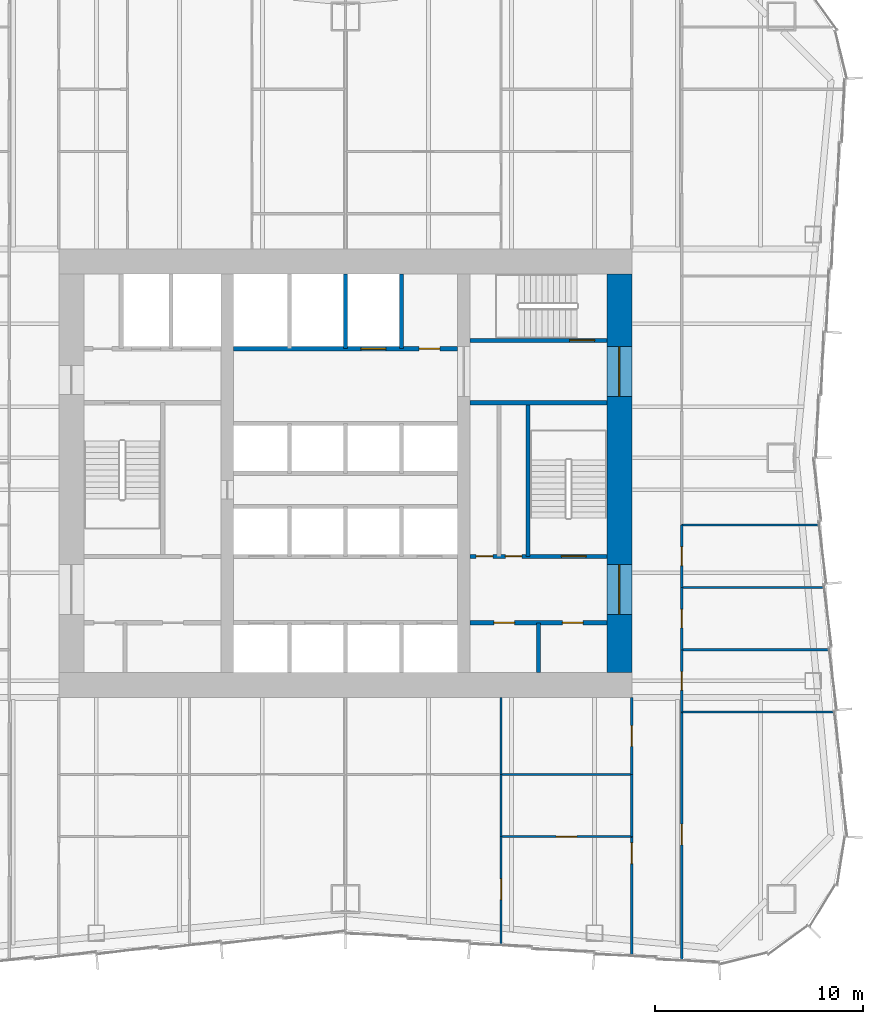
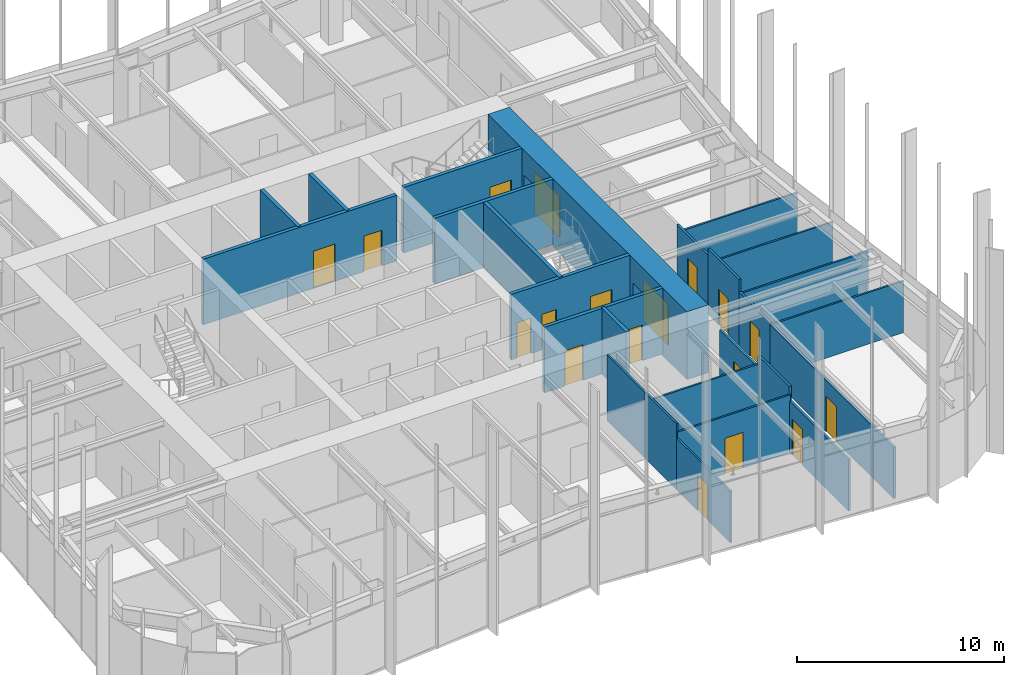
# One storey, part 10 of 13: 26 walls, 18 doors, 18 openings.
"""IFC4 building model written with IfcOpenShell, lengths in metres."""

import ifcopenshell
import ifcopenshell.guid

model = None  # the IFC model being written
_history = None  # IfcOwnerHistory: only IFC2X3 demands one
_inside = {}  # id of a spatial element -> (the spatial element, [elements in it])
_under = {}  # id of a project, library or spatial element -> (it, [spatial elements below it])
_declared = {}  # id of a project -> (the project, [libraries it declares])
_typed = {}  # id of a type object -> (the type object, [elements of that type])
_made_of = {}  # id of a material, layer set ... -> (it, [elements and type objects made of it])


def new_model(schema):
    """Start an empty IFC model of exactly this schema.

    Asked for "IFC4X3", IfcOpenShell would pick the latest addendum, in which some entities
    have other attributes; the version numbers below select the first issue.
    IFC2X3 requires an IfcOwnerHistory on every rooted entity: one is made here for all.
    """
    global model, _history
    if schema == "IFC4X3":
        model = ifcopenshell.file(schema_version=(4, 3, 0, 0))
    else:
        model = ifcopenshell.file(schema=schema)
    _inside.clear()
    _under.clear()
    _declared.clear()
    _typed.clear()
    _made_of.clear()
    _history = None
    if model.schema == "IFC2X3":
        org = make("IfcOrganization", Name="unknown")
        user = make(
            "IfcPersonAndOrganization",
            ThePerson=make("IfcPerson", FamilyName="unknown"),
            TheOrganization=org,
        )
        app = make(
            "IfcApplication",
            ApplicationDeveloper=org,
            Version="unknown",
            ApplicationFullName="unknown",
            ApplicationIdentifier="unknown",
        )
        _history = make(
            "IfcOwnerHistory",
            OwningUser=user,
            OwningApplication=app,
            ChangeAction="ADDED",
            CreationDate=0,
        )
    return model


def make(cls, **values):
    """One entity of the class cls with the attributes given. An attribute that is None is left unset."""
    return model.create_entity(
        cls, **{name: value for name, value in values.items() if value is not None}
    )


def rooted(cls, **values):
    """An entity with a GlobalId (a new one), such as an element, a storey or a relation."""
    return make(cls, GlobalId=ifcopenshell.guid.new(), OwnerHistory=_history, **values)


def si_unit(unit_type, name, prefix=None):
    """IfcSIUnit, for example si_unit("LENGTHUNIT", "METRE", prefix="MILLI")."""
    return make("IfcSIUnit", UnitType=unit_type, Prefix=prefix, Name=name)


def assignment(units):
    """IfcUnitAssignment: the units of a project."""
    return None if units is None else make("IfcUnitAssignment", Units=units)


def point(xyz):
    """IfcCartesianPoint."""
    return None if xyz is None else make("IfcCartesianPoint", Coordinates=xyz)


def direction(xyz):
    """IfcDirection."""
    return None if xyz is None else make("IfcDirection", DirectionRatios=xyz)


def frame(location, z_axis=None, x_axis=None):
    """IfcAxis2Placement3D, a coordinate frame: its origin and axes. An axis left out is left unset."""
    return make(
        "IfcAxis2Placement3D",
        Location=point(location),
        Axis=direction(z_axis),
        RefDirection=direction(x_axis),
    )


def frame_2d(location, x_axis=None):
    """IfcAxis2Placement2D, a coordinate frame in the plane: its origin and x axis."""
    return make(
        "IfcAxis2Placement2D", Location=point(location), RefDirection=direction(x_axis)
    )


def origin():
    """The frame at (0, 0, 0) with its axes left unset."""
    return frame((0.0, 0.0, 0.0))


def place(relative_to, where):
    """IfcLocalPlacement: puts the frame where relative to a parent placement (None: the world)."""
    return make(
        "IfcLocalPlacement", PlacementRelTo=relative_to, RelativePlacement=where
    )


def context(
    kind, dimensions, precision=None, world=None, true_north=None, identifier=None
):
    """IfcGeometricRepresentationContext, for example the 3D "Model" context."""
    return make(
        "IfcGeometricRepresentationContext",
        ContextIdentifier=identifier,
        ContextType=kind,
        CoordinateSpaceDimension=dimensions,
        Precision=precision,
        WorldCoordinateSystem=world,
        TrueNorth=true_north,
    )


def subcontext(parent, identifier, kind, view, scale=None):
    """IfcGeometricRepresentationSubContext, for example "Body" below "Model"."""
    return make(
        "IfcGeometricRepresentationSubContext",
        ContextIdentifier=identifier,
        ContextType=kind,
        ParentContext=parent,
        TargetScale=scale,
        TargetView=view,
    )


def project(units=None, contexts=None):
    """IfcProject with its units and contexts."""
    return rooted(
        "IfcProject",
        Name="project",
        RepresentationContexts=contexts,
        UnitsInContext=assignment(units),
    )


def spatial(cls, under=None, at=None, **own):
    """A site, building, storey or space (cls), placed at a placement, below another one or the project."""
    s = rooted(cls, ObjectPlacement=at, **own)
    if under is not None:
        _under.setdefault(under.id(), (under, []))[1].append(s)
    return s


def profile(cls, at=None, kind="AREA", **sizes):
    """A parametric profile (cls). Its sizes go by their IFC names, for example OverallWidth=200.0."""
    return make(cls, ProfileType=kind, Position=at, **sizes)


def rectangle(**sizes):
    """IfcRectangleProfileDef."""
    return profile("IfcRectangleProfileDef", **sizes)


def extrude(swept, where, along, depth):
    """IfcExtrudedAreaSolid: the profile swept, set in the frame where, extruded along a direction by depth."""
    return make(
        "IfcExtrudedAreaSolid",
        SweptArea=swept,
        Position=where,
        ExtrudedDirection=direction(along),
        Depth=depth,
    )


def shape(context_of_items, identifier, shape_type, items):
    """IfcShapeRepresentation: the items that make up one representation, for example the "Body"."""
    return make(
        "IfcShapeRepresentation",
        ContextOfItems=context_of_items,
        RepresentationIdentifier=identifier,
        RepresentationType=shape_type,
        Items=items,
    )


def material(Name=None, Category=None):
    """IfcMaterial."""
    return make("IfcMaterial", Name=Name, Category=Category)


def layer(
    of_material, thickness, ventilated=None, Name=None, Category=None, Priority=None
):
    """IfcMaterialLayer: one layer of a wall or slab, of a material (None: an air gap)."""
    return make(
        "IfcMaterialLayer",
        Material=of_material,
        LayerThickness=thickness,
        IsVentilated=ventilated,
        Name=Name,
        Category=Category,
        Priority=Priority,
    )


def layer_set(layers, Name=None):
    """IfcMaterialLayerSet."""
    return make("IfcMaterialLayerSet", MaterialLayers=layers, LayerSetName=Name)


def made_of(thing, what):
    """Note that an element or type object is made of a material, layer set ...; save() writes the relation."""
    if what is not None:
        _made_of.setdefault(what.id(), (what, []))[1].append(thing)
    return thing


def type_object(cls, material=None, **own):
    """A type object (cls), such as IfcWallType, which elements share."""
    return made_of(rooted(cls, **own), material)


def element(
    cls,
    number,
    at=None,
    inside=None,
    cuts=None,
    type_object=None,
    material=None,
    context=None,
    identifier="Body",
    shape_type=None,
    held_by="IfcProductDefinitionShape",
    body=None,
    shapes=None,
    **own,
):
    """One element of the class cls, such as IfcWall. Its Tag is "e" and its number.

    at: its placement. inside: the storey or other place that contains it. cuts: it is an
    opening in that element (IfcRelVoidsElement). A single representation is given by context,
    identifier, shape_type and body (its items); several are given by shapes. held_by: the class
    of the entity that holds the representations. save() writes the other relations.
    """
    e = rooted(cls, Tag="e%d" % number, ObjectPlacement=at, **own)
    if body is not None:
        shapes = [shape(context, identifier, shape_type, body)]
    if shapes is not None:
        e.Representation = make(held_by, Representations=shapes)
    if inside is not None:
        _inside.setdefault(inside.id(), (inside, []))[1].append(e)
    if cuts is not None:
        rooted(
            "IfcRelVoidsElement", RelatingBuildingElement=cuts, RelatedOpeningElement=e
        )
    if type_object is not None:
        _typed.setdefault(type_object.id(), (type_object, []))[1].append(e)
    return made_of(e, material)


def fill(opening, filler):
    """IfcRelFillsElement: the door or window that sits in an opening."""
    return rooted(
        "IfcRelFillsElement",
        RelatingOpeningElement=opening,
        RelatedBuildingElement=filler,
    )


def aggregate(whole, parts):
    """IfcRelAggregates: a whole, such as a stair, and the parts it consists of."""
    return rooted("IfcRelAggregates", RelatingObject=whole, RelatedObjects=parts)


def save(model, path):
    """Write the relations noted so far, then the file.

    IfcRelAggregates (storeys below a building ...), IfcRelContainedInSpatialStructure (elements
    in a storey), IfcRelDefinesByType, IfcRelAssociatesMaterial and IfcRelDeclares: one each for
    every whole, place, type object, material and project.
    """
    for whole, parts in _under.values():
        aggregate(whole, parts)
    for where, things in _inside.values():
        rooted(
            "IfcRelContainedInSpatialStructure",
            RelatedElements=things,
            RelatingStructure=where,
        )
    for kind, things in _typed.values():
        rooted("IfcRelDefinesByType", RelatedObjects=things, RelatingType=kind)
    for what, things in _made_of.values():
        rooted("IfcRelAssociatesMaterial", RelatedObjects=things, RelatingMaterial=what)
    for by, libraries in _declared.values():
        rooted("IfcRelDeclares", RelatingContext=by, RelatedDefinitions=libraries)
    model.write(path)


model = new_model("IFC4")

# Units and contexts
model_context = context("Model", 3, precision=1e-05, world=origin(), true_north=direction((0.0, 1.0)))
body_context = subcontext(model_context, "Body", "Model", "MODEL_VIEW")
ifc_project = project(units=[si_unit("LENGTHUNIT", "METRE"), si_unit("AREAUNIT", "SQUARE_METRE"), si_unit("VOLUMEUNIT", "CUBIC_METRE"), si_unit("PLANEANGLEUNIT", "RADIAN"), si_unit("MASSUNIT", "GRAM", prefix="KILO")], contexts=[model_context])

# Site, building, storey
site_placement = place(None, origin())
site = spatial("IfcSite", under=ifc_project, at=site_placement, CompositionType="ELEMENT")
building_placement = place(site_placement, origin())
building = spatial("IfcBuilding", under=site, at=building_placement, Name="Verdant Reach Tower", CompositionType="ELEMENT")
storey_placement = place(building_placement, frame((0.0, 0.0, 70.0)))
storey = spatial("IfcBuildingStorey", under=building, at=storey_placement, Name="L15", CompositionType="ELEMENT", Elevation=70.0)

# Wall, openings, doors
ifc_material_1 = material(Name="Gypsum board on steel studs", Category="steel")
ifc_layer_1 = layer(ifc_material_1, 0.199951171875)
ifc_layer_set_1 = layer_set([ifc_layer_1], Name="CO-WALL-ROOM")
wall_type_1 = type_object("IfcWallType", Name="CO-WALL-ROOM", PredefinedType="PARTITIONING", material=ifc_layer_set_1)
wall_1_placement = place(storey_placement, frame((6.0, 20.800048828125, 0.0), z_axis=(0.0, 0.0, 1.0), x_axis=(1.0, 0.0, 0.0)))
wall_1 = element("IfcWall", 1, at=wall_1_placement, inside=storey, type_object=wall_type_1, Name="Core partition, L15", PredefinedType="PARTITIONING", context=body_context, shape_type="SweptSolid", body=[
    extrude(rectangle(XDim=6.60009765625, YDim=0.199951171875, at=frame_2d((3.300048828125, 0.0))), origin(), (0.0, 0.0, 1.0), 3.8701171875),
])
opening_1_placement = place(wall_1_placement, frame((1.14990234375, 0.0, 0.0)))
opening_1 = element("IfcOpeningElement", 2, at=opening_1_placement, cuts=wall_1, Name="Opening CD", PredefinedType="OPENING", context=body_context, shape_type="SweptSolid", body=[
    extrude(rectangle(XDim=1.0, YDim=2.10009765625, at=frame_2d((0.5, 1.050048828125))), frame((0.0, 0.10986328125, 0.0), z_axis=(0.0, -1.0, 0.0), x_axis=(1.0, 0.0, 0.0)), (0.0, 0.0, 1.0), 0.219970703125),
])
opening_2_placement = place(wall_1_placement, frame((4.449951171875, 0.0, 0.0)))
opening_2 = element("IfcOpeningElement", 3, at=opening_2_placement, cuts=wall_1, Name="Opening CD", PredefinedType="OPENING", context=body_context, shape_type="SweptSolid", body=[
    extrude(rectangle(XDim=1.0, YDim=2.10009765625, at=frame_2d((0.5, 1.050048828125))), frame((0.0, 0.10986328125, 0.0), z_axis=(0.0, -1.0, 0.0), x_axis=(1.0, 0.0, 0.0)), (0.0, 0.0, 1.0), 0.219970703125),
])
ifc_material_2 = material(Name="Timber", Category="wood")
door_type_1 = type_object("IfcDoorType", Name="CO-DOOR-ROOM", OperationType="NOTDEFINED", PredefinedType="DOOR", material=ifc_material_2)
door_1_placement = place(opening_1_placement, origin())
door_1 = element("IfcDoor", 4, at=door_1_placement, inside=storey, type_object=door_type_1, Name="Core room door, L15", OperationType="SINGLE_SWING_LEFT", OverallHeight=2.10009765625, OverallWidth=1.0, PredefinedType="DOOR", context=body_context, shape_type="SweptSolid", body=[
    extrude(rectangle(XDim=1.0, YDim=2.10009765625, at=frame_2d((0.5, 1.050048828125))), frame((0.0, 0.02490234375, 0.0), z_axis=(0.0, -1.0, 0.0), x_axis=(1.0, 0.0, 0.0)), (0.0, 0.0, 1.0), 0.050048828125),
])
fill(opening_1, door_1)
door_2_placement = place(opening_2_placement, origin())
door_2 = element("IfcDoor", 5, at=door_2_placement, inside=storey, type_object=door_type_1, Name="Core room door, L15", OperationType="SINGLE_SWING_LEFT", OverallHeight=2.10009765625, OverallWidth=1.0, PredefinedType="DOOR", context=body_context, shape_type="SweptSolid", body=[
    extrude(rectangle(XDim=1.0, YDim=2.10009765625, at=frame_2d((0.5, 1.050048828125))), frame((0.0, 0.02490234375, 0.0), z_axis=(0.0, -1.0, 0.0), x_axis=(1.0, 0.0, 0.0)), (0.0, 0.0, 1.0), 0.050048828125),
])
fill(opening_2, door_2)

# Wall
wall_2_placement = place(storey_placement, frame((9.300048828125, 18.39990234375, 0.0), z_axis=(0.0, 0.0, 1.0), x_axis=(0.0, 1.0, 0.0)))
element("IfcWall", 6, at=wall_2_placement, inside=storey, type_object=wall_type_1, Name="Core partition, L15", PredefinedType="PARTITIONING", context=body_context, shape_type="SweptSolid", body=[
    extrude(rectangle(XDim=2.400146484375, YDim=0.199951171875, at=frame_2d((1.2001953125, 0.0))), origin(), (0.0, 0.0, 1.0), 3.8701171875),
])

# Wall, openings, doors
ifc_material_3 = material(Name="Concrete C40/50", Category="concrete")
ifc_layer_2 = layer(ifc_material_3, 0.199951171875)
ifc_layer_set_2 = layer_set([ifc_layer_2], Name="CO-WALL-SHAFT")
wall_type_2 = type_object("IfcWallType", Name="CO-WALL-SHAFT", PredefinedType="PARTITIONING", material=ifc_layer_set_2)
wall_3_placement = place(storey_placement, frame((-5.39990234375, 34.0, 0.0), z_axis=(0.0, 0.0, 1.0), x_axis=(1.0, 0.0, 0.0)))
wall_3 = element("IfcWall", 7, at=wall_3_placement, inside=storey, type_object=wall_type_2, Name="Lift shaft wall, L15", PredefinedType="PARTITIONING", context=body_context, shape_type="SweptSolid", body=[
    extrude(rectangle(XDim=10.7998046875, YDim=0.199951171875, at=frame_2d((5.39990234375, 0.0))), origin(), (0.0, 0.0, 1.0), 3.8701171875),
])
opening_3_placement = place(wall_3_placement, frame((6.14990234375, 0.0, 0.0)))
opening_3 = element("IfcOpeningElement", 8, at=opening_3_placement, cuts=wall_3, Name="Opening LD-SL1", PredefinedType="OPENING", context=body_context, shape_type="SweptSolid", body=[
    extrude(rectangle(XDim=1.199951171875, YDim=2.199951171875, at=frame_2d((0.60009765625, 1.10009765625))), frame((0.0, 0.10986328125, 0.0), z_axis=(0.0, -1.0, 0.0), x_axis=(1.0, 0.0, 0.0)), (0.0, 0.0, 1.0), 0.219970703125),
])
opening_4_placement = place(wall_3_placement, frame((8.949951171875, 0.0, 0.0)))
opening_4 = element("IfcOpeningElement", 9, at=opening_4_placement, cuts=wall_3, Name="Opening CD", PredefinedType="OPENING", context=body_context, shape_type="SweptSolid", body=[
    extrude(rectangle(XDim=1.0, YDim=2.10009765625, at=frame_2d((0.5, 1.050048828125))), frame((0.0, 0.10986328125, 0.0), z_axis=(0.0, -1.0, 0.0), x_axis=(1.0, 0.0, 0.0)), (0.0, 0.0, 1.0), 0.219970703125),
])
ifc_material_4 = material(Name="Stainless steel", Category="steel")
door_type_2 = type_object("IfcDoorType", Name="CO-DOOR-LANDING", OperationType="SLIDING_TO_LEFT", PredefinedType="DOOR", material=ifc_material_4)
door_3_placement = place(opening_3_placement, origin())
door_3 = element("IfcDoor", 10, at=door_3_placement, inside=storey, type_object=door_type_2, Name="Landing door SL1, L15", OperationType="SLIDING_TO_LEFT", OverallHeight=2.199951171875, OverallWidth=1.199951171875, PredefinedType="DOOR", context=body_context, shape_type="SweptSolid", body=[
    extrude(rectangle(XDim=1.199951171875, YDim=2.199951171875, at=frame_2d((0.60009765625, 1.10009765625))), frame((0.0, 0.02490234375, 0.0), z_axis=(0.0, -1.0, 0.0), x_axis=(1.0, 0.0, 0.0)), (0.0, 0.0, 1.0), 0.050048828125),
])
fill(opening_3, door_3)
door_4_placement = place(opening_4_placement, origin())
door_4 = element("IfcDoor", 11, at=door_4_placement, inside=storey, type_object=door_type_1, Name="Core room door, L15", OperationType="SINGLE_SWING_LEFT", OverallHeight=2.10009765625, OverallWidth=1.0, PredefinedType="DOOR", context=body_context, shape_type="SweptSolid", body=[
    extrude(rectangle(XDim=1.0, YDim=2.10009765625, at=frame_2d((0.5, 1.050048828125))), frame((0.0, 0.02490234375, 0.0), z_axis=(0.0, -1.0, 0.0), x_axis=(1.0, 0.0, 0.0)), (0.0, 0.0, 1.0), 0.050048828125),
])
fill(opening_4, door_4)

# Walls
for number, where, z_axis, x_axis, name in (
    (12, (0.0, 34.0, 0.0), (0.0, 0.0, 1.0), (0.0, 1.0, 0.0), "Lift shaft wall, L15"),
    (13, (2.699951171875, 34.0, 0.0), (0.0, 0.0, 1.0), (0.0, 1.0, 0.0), "Lift shaft wall, L15"),
):
    element("IfcWall", number, at=place(storey_placement, frame(where, z_axis=z_axis, x_axis=x_axis)), inside=storey, type_object=wall_type_2, Name=name, PredefinedType="PARTITIONING", context=body_context, shape_type="SweptSolid", body=[
        extrude(rectangle(XDim=3.60009765625, YDim=0.199951171875, at=frame_2d((1.800048828125, 0.0))), origin(), (0.0, 0.0, 1.0), 3.8701171875),
    ])

# Wall, openings, doors
ifc_layer_3 = layer(ifc_material_3, 0.199951171875)
ifc_layer_set_3 = layer_set([ifc_layer_3], Name="CO-WALL-STAIR")
wall_type_3 = type_object("IfcWallType", Name="CO-WALL-STAIR", PredefinedType="PARTITIONING", material=ifc_layer_set_3)
wall_4_placement = place(storey_placement, frame((6.0, 24.0, 0.0), z_axis=(0.0, 0.0, 1.0), x_axis=(1.0, 0.0, 0.0)))
wall_4 = element("IfcWall", 14, at=wall_4_placement, inside=storey, type_object=wall_type_3, Name="Stair enclosure wall, L15", PredefinedType="PARTITIONING", context=body_context, shape_type="SweptSolid", body=[
    extrude(rectangle(XDim=6.60009765625, YDim=0.199951171875, at=frame_2d((3.300048828125, 0.0))), origin(), (0.0, 0.0, 1.0), 3.8701171875),
])
opening_5_placement = place(wall_4_placement, frame((0.300048828125, 0.0, 0.0)))
opening_5 = element("IfcOpeningElement", 15, at=opening_5_placement, cuts=wall_4, Name="Opening CDN", PredefinedType="OPENING", context=body_context, shape_type="SweptSolid", body=[
    extrude(rectangle(XDim=0.800048828125, YDim=2.10009765625, at=frame_2d((0.39990234375, 1.050048828125))), frame((0.0, 0.10986328125, 0.0), z_axis=(0.0, -1.0, 0.0), x_axis=(1.0, 0.0, 0.0)), (0.0, 0.0, 1.0), 0.219970703125),
])
opening_6_placement = place(wall_4_placement, frame((1.699951171875, 0.0, 0.0)))
opening_6 = element("IfcOpeningElement", 16, at=opening_6_placement, cuts=wall_4, Name="Opening CDN", PredefinedType="OPENING", context=body_context, shape_type="SweptSolid", body=[
    extrude(rectangle(XDim=0.800048828125, YDim=2.10009765625, at=frame_2d((0.39990234375, 1.050048828125))), frame((0.0, 0.10986328125, 0.0), z_axis=(0.0, -1.0, 0.0), x_axis=(1.0, 0.0, 0.0)), (0.0, 0.0, 1.0), 0.219970703125),
])
opening_7_placement = place(wall_4_placement, frame((4.39990234375, 0.0, 0.0)))
opening_7 = element("IfcOpeningElement", 17, at=opening_7_placement, cuts=wall_4, Name="Opening SD", PredefinedType="OPENING", context=body_context, shape_type="SweptSolid", body=[
    extrude(rectangle(XDim=1.199951171875, YDim=2.199951171875, at=frame_2d((0.60009765625, 1.10009765625))), frame((0.0, 0.10986328125, 0.0), z_axis=(0.0, -1.0, 0.0), x_axis=(1.0, 0.0, 0.0)), (0.0, 0.0, 1.0), 0.219970703125),
])
door_type_3 = type_object("IfcDoorType", Name="CO-DOOR-ROOM-NARROW", OperationType="NOTDEFINED", PredefinedType="DOOR", material=ifc_material_2)
door_5_placement = place(opening_5_placement, origin())
door_5 = element("IfcDoor", 18, at=door_5_placement, inside=storey, type_object=door_type_3, Name="Core room door, L15", OperationType="SINGLE_SWING_RIGHT", OverallHeight=2.10009765625, OverallWidth=0.800048828125, PredefinedType="DOOR", context=body_context, shape_type="SweptSolid", body=[
    extrude(rectangle(XDim=0.800048828125, YDim=2.10009765625, at=frame_2d((0.39990234375, 1.050048828125))), frame((0.0, 0.02490234375, 0.0), z_axis=(0.0, -1.0, 0.0), x_axis=(1.0, 0.0, 0.0)), (0.0, 0.0, 1.0), 0.050048828125),
])
fill(opening_5, door_5)
door_6_placement = place(opening_6_placement, origin())
door_6 = element("IfcDoor", 19, at=door_6_placement, inside=storey, type_object=door_type_3, Name="Core room door, L15", OperationType="SINGLE_SWING_LEFT", OverallHeight=2.10009765625, OverallWidth=0.800048828125, PredefinedType="DOOR", context=body_context, shape_type="SweptSolid", body=[
    extrude(rectangle(XDim=0.800048828125, YDim=2.10009765625, at=frame_2d((0.39990234375, 1.050048828125))), frame((0.0, 0.02490234375, 0.0), z_axis=(0.0, -1.0, 0.0), x_axis=(1.0, 0.0, 0.0)), (0.0, 0.0, 1.0), 0.050048828125),
])
fill(opening_6, door_6)
ifc_material_5 = material(Name="Steel", Category="steel")
door_type_4 = type_object("IfcDoorType", Name="CO-DOOR-STAIR", OperationType="NOTDEFINED", PredefinedType="DOOR", material=ifc_material_5)
door_7_placement = place(opening_7_placement, origin())
door_7 = element("IfcDoor", 20, at=door_7_placement, inside=storey, type_object=door_type_4, Name="Stair door, L15", OperationType="SINGLE_SWING_RIGHT", OverallHeight=2.199951171875, OverallWidth=1.199951171875, PredefinedType="DOOR", context=body_context, shape_type="SweptSolid", body=[
    extrude(rectangle(XDim=1.199951171875, YDim=2.199951171875, at=frame_2d((0.60009765625, 1.10009765625))), frame((0.0, 0.02490234375, 0.0), z_axis=(0.0, -1.0, 0.0), x_axis=(1.0, 0.0, 0.0)), (0.0, 0.0, 1.0), 0.050048828125),
])
fill(opening_7, door_7)

# Wall
wall_5_placement = place(storey_placement, frame((6.0, 31.39990234375, 0.0), z_axis=(0.0, 0.0, 1.0), x_axis=(1.0, 0.0, 0.0)))
element("IfcWall", 21, at=wall_5_placement, inside=storey, type_object=wall_type_3, Name="Stair enclosure wall, L15", PredefinedType="PARTITIONING", context=body_context, shape_type="SweptSolid", body=[
    extrude(rectangle(XDim=6.60009765625, YDim=0.199951171875, at=frame_2d((3.300048828125, 0.0))), origin(), (0.0, 0.0, 1.0), 3.8701171875),
])

# Wall, opening, door
wall_6_placement = place(storey_placement, frame((6.0, 34.39990234375, 0.0), z_axis=(0.0, 0.0, 1.0), x_axis=(1.0, 0.0, 0.0)))
wall_6 = element("IfcWall", 22, at=wall_6_placement, inside=storey, type_object=wall_type_3, Name="Stair enclosure wall, L15", PredefinedType="PARTITIONING", context=body_context, shape_type="SweptSolid", body=[
    extrude(rectangle(XDim=6.60009765625, YDim=0.199951171875, at=frame_2d((3.300048828125, 0.0))), origin(), (0.0, 0.0, 1.0), 3.8701171875),
])
opening_8_placement = place(wall_6_placement, frame((4.800048828125, 0.0, 0.0)))
opening_8 = element("IfcOpeningElement", 23, at=opening_8_placement, cuts=wall_6, Name="Opening SD", PredefinedType="OPENING", context=body_context, shape_type="SweptSolid", body=[
    extrude(rectangle(XDim=1.199951171875, YDim=2.199951171875, at=frame_2d((0.60009765625, 1.10009765625))), frame((0.0, 0.10986328125, 0.0), z_axis=(0.0, -1.0, 0.0), x_axis=(1.0, 0.0, 0.0)), (0.0, 0.0, 1.0), 0.219970703125),
])
door_8_placement = place(opening_8_placement, origin())
door_8 = element("IfcDoor", 24, at=door_8_placement, inside=storey, type_object=door_type_4, Name="Stair door, L15", OperationType="SINGLE_SWING_LEFT", OverallHeight=2.199951171875, OverallWidth=1.199951171875, PredefinedType="DOOR", context=body_context, shape_type="SweptSolid", body=[
    extrude(rectangle(XDim=1.199951171875, YDim=2.199951171875, at=frame_2d((0.60009765625, 1.10009765625))), frame((0.0, 0.02490234375, 0.0), z_axis=(0.0, -1.0, 0.0), x_axis=(1.0, 0.0, 0.0)), (0.0, 0.0, 1.0), 0.050048828125),
])
fill(opening_8, door_8)

# Walls
wall_7_placement = place(storey_placement, frame((8.800048828125, 24.0, 0.0), z_axis=(0.0, 0.0, 1.0), x_axis=(0.0, 1.0, 0.0)))
element("IfcWall", 25, at=wall_7_placement, inside=storey, type_object=wall_type_3, Name="Stair enclosure wall, L15", PredefinedType="PARTITIONING", context=body_context, shape_type="SweptSolid", body=[
    extrude(rectangle(XDim=7.39990234375, YDim=0.199951171875, at=frame_2d((3.699951171875, 0.0))), origin(), (0.0, 0.0, 1.0), 3.8701171875),
])
ifc_layer_4 = layer(ifc_material_1, 0.10009765625)
ifc_layer_set_4 = layer_set([ifc_layer_4], Name="FL-W1 Partition 100")
wall_type_4 = type_object("IfcWallType", Name="FL-W1 Partition 100", PredefinedType="PARTITIONING", material=ifc_layer_set_4)
wall_8_placement = place(storey_placement, frame((23.5869140625, 16.5, 0.0), z_axis=(0.0, 0.0, 1.0), x_axis=(-1.0, 0.0, 0.0)))
element("IfcWall", 26, at=wall_8_placement, inside=storey, type_object=wall_type_4, Name="Partition 15.36", PredefinedType="PARTITIONING", context=body_context, shape_type="SweptSolid", body=[
    extrude(rectangle(XDim=7.386962890625, YDim=0.10009765625, at=frame_2d((3.693359375, 0.0))), origin(), (0.0, 0.0, 1.0), 3.0400390625),
])
wall_9_placement = place(storey_placement, frame((23.34033203125, 19.5, 0.0), z_axis=(0.0, 0.0, 1.0), x_axis=(-1.0, 0.0, 0.0)))
element("IfcWall", 27, at=wall_9_placement, inside=storey, type_object=wall_type_4, Name="Partition 15.37", PredefinedType="PARTITIONING", context=body_context, shape_type="SweptSolid", body=[
    extrude(rectangle(XDim=7.140380859375, YDim=0.10009765625, at=frame_2d((3.5703125, 0.0))), origin(), (0.0, 0.0, 1.0), 3.0400390625),
])
wall_10_placement = place(storey_placement, frame((23.09375, 22.5, 0.0), z_axis=(0.0, 0.0, 1.0), x_axis=(-1.0, 0.0, 0.0)))
element("IfcWall", 28, at=wall_10_placement, inside=storey, type_object=wall_type_4, Name="Partition 15.38", PredefinedType="PARTITIONING", context=body_context, shape_type="SweptSolid", body=[
    extrude(rectangle(XDim=6.893798828125, YDim=0.10009765625, at=frame_2d((3.44677734375, 0.0))), origin(), (0.0, 0.0, 1.0), 3.0400390625),
])
wall_11_placement = place(storey_placement, frame((22.84716796875, 25.5, 0.0), z_axis=(0.0, 0.0, 1.0), x_axis=(-1.0, 0.0, 0.0)))
element("IfcWall", 29, at=wall_11_placement, inside=storey, type_object=wall_type_4, Name="Partition 15.39", PredefinedType="PARTITIONING", context=body_context, shape_type="SweptSolid", body=[
    extrude(rectangle(XDim=6.647216796875, YDim=0.10009765625, at=frame_2d((3.32373046875, 0.0))), origin(), (0.0, 0.0, 1.0), 3.0400390625),
])

# Wall, opening, door
wall_12_placement = place(storey_placement, frame((7.5, 10.5, 0.0), z_axis=(0.0, 0.0, 1.0), x_axis=(1.0, 0.0, 0.0)))
wall_12 = element("IfcWall", 30, at=wall_12_placement, inside=storey, type_object=wall_type_4, Name="Partition 15.51", PredefinedType="PARTITIONING", context=body_context, shape_type="SweptSolid", body=[
    extrude(rectangle(XDim=6.300048828125, YDim=0.10009765625, at=frame_2d((3.14990234375, 0.0))), origin(), (0.0, 0.0, 1.0), 3.389892578125),
])
opening_9_placement = place(wall_12_placement, frame((2.64990234375, 0.0, 0.0)))
opening_9 = element("IfcOpeningElement", 31, at=opening_9_placement, cuts=wall_12, Name="Opening D3", PredefinedType="OPENING", context=body_context, shape_type="SweptSolid", body=[
    extrude(rectangle(XDim=1.0, YDim=2.10009765625, at=frame_2d((0.5, 1.050048828125))), frame((0.0, 0.06005859375, 0.0), z_axis=(0.0, -1.0, 0.0), x_axis=(1.0, 0.0, 0.0)), (0.0, 0.0, 1.0), 0.1201171875),
])
ifc_material_6 = material(Name="Painted timber door leaf", Category="wood")
door_type_5 = type_object("IfcDoorType", Name="FL-D3 Door 1000x2100", OperationType="NOTDEFINED", PredefinedType="DOOR", material=ifc_material_6)
door_9_placement = place(opening_9_placement, origin())
door_9 = element("IfcDoor", 32, at=door_9_placement, inside=storey, type_object=door_type_5, Name="Door 15-027", OperationType="SINGLE_SWING_LEFT", OverallHeight=2.10009765625, OverallWidth=1.0, PredefinedType="DOOR", context=body_context, shape_type="SweptSolid", body=[
    extrude(rectangle(XDim=1.0, YDim=2.10009765625, at=frame_2d((0.5, 1.050048828125))), frame((0.0, 0.02490234375, 0.0), z_axis=(0.0, -1.0, 0.0), x_axis=(1.0, 0.0, 0.0)), (0.0, 0.0, 1.0), 0.050048828125),
])
fill(opening_9, door_9)

wall_13_placement = place(storey_placement, frame((7.5, 5.294921875, 0.0), z_axis=(0.0, 0.0, 1.0), x_axis=(0.0, 1.0, 0.0)))
wall_13 = element("IfcWall", 33, at=wall_13_placement, inside=storey, type_object=wall_type_4, Name="Partition 15.52", PredefinedType="PARTITIONING", context=body_context, shape_type="SweptSolid", body=[
    extrude(rectangle(XDim=5.208984375, YDim=0.10009765625, at=frame_2d((2.6044921875, 0.0))), origin(), (0.0, 0.0, 1.0), 3.0400390625),
])
opening_10_placement = place(wall_13_placement, frame((2.169677734375, 0.0, 0.0)))
opening_10 = element("IfcOpeningElement", 34, at=opening_10_placement, cuts=wall_13, Name="Opening D3", PredefinedType="OPENING", context=body_context, shape_type="SweptSolid", body=[
    extrude(rectangle(XDim=1.0, YDim=2.10009765625, at=frame_2d((0.5, 1.050048828125))), frame((0.0, 0.06005859375, 0.0), z_axis=(0.0, -1.0, 0.0), x_axis=(1.0, 0.0, 0.0)), (0.0, 0.0, 1.0), 0.1201171875),
])
door_10_placement = place(opening_10_placement, origin())
door_10 = element("IfcDoor", 35, at=door_10_placement, inside=storey, type_object=door_type_5, Name="Door 15-028", OperationType="SINGLE_SWING_RIGHT", OverallHeight=2.10009765625, OverallWidth=1.0, PredefinedType="DOOR", context=body_context, shape_type="SweptSolid", body=[
    extrude(rectangle(XDim=1.0, YDim=2.10009765625, at=frame_2d((0.5, 1.050048828125))), frame((0.0, 0.02490234375, 0.0), z_axis=(0.0, -1.0, 0.0), x_axis=(1.0, 0.0, 0.0)), (0.0, 0.0, 1.0), 0.050048828125),
])
fill(opening_10, door_10)

# Walls
wall_14_placement = place(storey_placement, frame((13.800048828125, 13.5, 0.0), z_axis=(0.0, 0.0, 1.0), x_axis=(-1.0, 0.0, 0.0)))
element("IfcWall", 36, at=wall_14_placement, inside=storey, type_object=wall_type_4, Name="Partition 15.53", PredefinedType="PARTITIONING", context=body_context, shape_type="SweptSolid", body=[
    extrude(rectangle(XDim=6.300048828125, YDim=0.10009765625, at=frame_2d((3.14990234375, 0.0))), origin(), (0.0, 0.0, 1.0), 3.389892578125),
])
wall_15_placement = place(storey_placement, frame((7.5, 13.5, 0.0), z_axis=(0.0, 0.0, 1.0), x_axis=(0.0, -1.0, 0.0)))
element("IfcWall", 37, at=wall_15_placement, inside=storey, type_object=wall_type_4, Name="Partition 15.54", PredefinedType="PARTITIONING", context=body_context, shape_type="SweptSolid", body=[
    extrude(rectangle(XDim=3.00390625, YDim=0.10009765625, at=frame_2d((1.501953125, 0.0))), origin(), (0.0, 0.0, 1.0), 3.8701171875),
])
wall_16_placement = place(storey_placement, frame((7.5, 17.199951171875, 0.0), z_axis=(0.0, 0.0, 1.0), x_axis=(0.0, -1.0, 0.0)))
element("IfcWall", 38, at=wall_16_placement, inside=storey, type_object=wall_type_4, Name="Partition 15.55", PredefinedType="PARTITIONING", context=body_context, shape_type="SweptSolid", body=[
    extrude(rectangle(XDim=3.699951171875, YDim=0.10009765625, at=frame_2d((1.85009765625, 0.0))), origin(), (0.0, 0.0, 1.0), 3.8701171875),
])

# Wall, opening, door
ifc_material_7 = material(Name="Gypsum board on steel studs, fire rated", Category="steel")
ifc_layer_5 = layer(ifc_material_7, 0.125)
ifc_layer_set_5 = layer_set([ifc_layer_5], Name="FL-W2 Corridor wall 125")
wall_type_5 = type_object("IfcWallType", Name="FL-W2 Corridor wall 125", PredefinedType="PARTITIONING", material=ifc_layer_set_5)
wall_17_placement = place(storey_placement, frame((16.199951171875, 16.5, 0.0), z_axis=(0.0, 0.0, 1.0), x_axis=(0.0, -1.0, 0.0)))
wall_17 = element("IfcWall", 39, at=wall_17_placement, inside=storey, type_object=wall_type_5, Name="Partition 15.15", PredefinedType="PARTITIONING", context=body_context, shape_type="SweptSolid", body=[
    extrude(rectangle(XDim=11.929931640625, YDim=0.125, at=frame_2d((5.96484375, 0.0))), origin(), (0.0, 0.0, 1.0), 3.0400390625),
])
opening_11_placement = place(wall_17_placement, frame((5.39990234375, 0.0, 0.0)))
opening_11 = element("IfcOpeningElement", 40, at=opening_11_placement, cuts=wall_17, Name="Opening D2", PredefinedType="OPENING", context=body_context, shape_type="SweptSolid", body=[
    extrude(rectangle(XDim=1.0, YDim=2.10009765625, at=frame_2d((0.5, 1.050048828125))), frame((0.0, 0.072509765625, 0.0), z_axis=(0.0, -1.0, 0.0), x_axis=(1.0, 0.0, 0.0)), (0.0, 0.0, 1.0), 0.14501953125),
])
ifc_material_8 = material(Name="Timber door leaf, fire rated", Category="wood")
door_type_6 = type_object("IfcDoorType", Name="FL-D2 Entrance door 1000x2100 FD30", OperationType="NOTDEFINED", PredefinedType="DOOR", material=ifc_material_8)
door_11_placement = place(opening_11_placement, origin())
door_11 = element("IfcDoor", 41, at=door_11_placement, inside=storey, type_object=door_type_6, Name="Door 15-011", OperationType="SINGLE_SWING_LEFT", OverallHeight=2.10009765625, OverallWidth=1.0, PredefinedType="DOOR", context=body_context, shape_type="SweptSolid", body=[
    extrude(rectangle(XDim=1.0, YDim=2.10009765625, at=frame_2d((0.5, 1.050048828125))), frame((0.0, 0.02490234375, 0.0), z_axis=(0.0, -1.0, 0.0), x_axis=(1.0, 0.0, 0.0)), (0.0, 0.0, 1.0), 0.050048828125),
])
fill(opening_11, door_11)

wall_18_placement = place(storey_placement, frame((16.199951171875, 19.5, 0.0), z_axis=(0.0, 0.0, 1.0), x_axis=(0.0, -1.0, 0.0)))
wall_18 = element("IfcWall", 42, at=wall_18_placement, inside=storey, type_object=wall_type_5, Name="Partition 15.16", PredefinedType="PARTITIONING", context=body_context, shape_type="SweptSolid", body=[
    extrude(rectangle(XDim=3.0, YDim=0.125, at=frame_2d((1.5, 0.0))), origin(), (0.0, 0.0, 1.0), 3.139892578125),
])
opening_12_placement = place(wall_18_placement, frame((1.050048828125, 0.0, 0.0)))
opening_12 = element("IfcOpeningElement", 43, at=opening_12_placement, cuts=wall_18, Name="Opening D1", PredefinedType="OPENING", context=body_context, shape_type="SweptSolid", body=[
    extrude(rectangle(XDim=0.89990234375, YDim=2.10009765625, at=frame_2d((0.449951171875, 1.050048828125))), frame((0.0, 0.072509765625, 0.0), z_axis=(0.0, -1.0, 0.0), x_axis=(1.0, 0.0, 0.0)), (0.0, 0.0, 1.0), 0.14501953125),
])
door_type_7 = type_object("IfcDoorType", Name="FL-D1 Door 900x2100", OperationType="NOTDEFINED", PredefinedType="DOOR", material=ifc_material_6)
door_12_placement = place(opening_12_placement, origin())
door_12 = element("IfcDoor", 44, at=door_12_placement, inside=storey, type_object=door_type_7, Name="Door 15-012", OperationType="SINGLE_SWING_RIGHT", OverallHeight=2.10009765625, OverallWidth=0.89990234375, PredefinedType="DOOR", context=body_context, shape_type="SweptSolid", body=[
    extrude(rectangle(XDim=0.89990234375, YDim=2.10009765625, at=frame_2d((0.449951171875, 1.050048828125))), frame((0.0, 0.02490234375, 0.0), z_axis=(0.0, -1.0, 0.0), x_axis=(1.0, 0.0, 0.0)), (0.0, 0.0, 1.0), 0.050048828125),
])
fill(opening_12, door_12)

wall_19_placement = place(storey_placement, frame((16.199951171875, 22.5, 0.0), z_axis=(0.0, 0.0, 1.0), x_axis=(0.0, -1.0, 0.0)))
wall_19 = element("IfcWall", 45, at=wall_19_placement, inside=storey, type_object=wall_type_5, Name="Partition 15.17", PredefinedType="PARTITIONING", context=body_context, shape_type="SweptSolid", body=[
    extrude(rectangle(XDim=3.0, YDim=0.125, at=frame_2d((1.5, 0.0))), origin(), (0.0, 0.0, 1.0), 3.8701171875),
])
opening_13_placement = place(wall_19_placement, frame((1.050048828125, 0.0, 0.0)))
opening_13 = element("IfcOpeningElement", 46, at=opening_13_placement, cuts=wall_19, Name="Opening D1", PredefinedType="OPENING", context=body_context, shape_type="SweptSolid", body=[
    extrude(rectangle(XDim=0.89990234375, YDim=2.10009765625, at=frame_2d((0.449951171875, 1.050048828125))), frame((0.0, 0.072509765625, 0.0), z_axis=(0.0, -1.0, 0.0), x_axis=(1.0, 0.0, 0.0)), (0.0, 0.0, 1.0), 0.14501953125),
])
door_13_placement = place(opening_13_placement, origin())
door_13 = element("IfcDoor", 47, at=door_13_placement, inside=storey, type_object=door_type_7, Name="Door 15-013", OperationType="SINGLE_SWING_LEFT", OverallHeight=2.10009765625, OverallWidth=0.89990234375, PredefinedType="DOOR", context=body_context, shape_type="SweptSolid", body=[
    extrude(rectangle(XDim=0.89990234375, YDim=2.10009765625, at=frame_2d((0.449951171875, 1.050048828125))), frame((0.0, 0.02490234375, 0.0), z_axis=(0.0, -1.0, 0.0), x_axis=(1.0, 0.0, 0.0)), (0.0, 0.0, 1.0), 0.050048828125),
])
fill(opening_13, door_13)

wall_20_placement = place(storey_placement, frame((16.199951171875, 25.5, 0.0), z_axis=(0.0, 0.0, 1.0), x_axis=(0.0, -1.0, 0.0)))
wall_20 = element("IfcWall", 48, at=wall_20_placement, inside=storey, type_object=wall_type_5, Name="Partition 15.18", PredefinedType="PARTITIONING", context=body_context, shape_type="SweptSolid", body=[
    extrude(rectangle(XDim=3.0, YDim=0.125, at=frame_2d((1.5, 0.0))), origin(), (0.0, 0.0, 1.0), 3.47998046875),
])
opening_14_placement = place(wall_20_placement, frame((1.050048828125, 0.0, 0.0)))
opening_14 = element("IfcOpeningElement", 49, at=opening_14_placement, cuts=wall_20, Name="Opening D1", PredefinedType="OPENING", context=body_context, shape_type="SweptSolid", body=[
    extrude(rectangle(XDim=0.89990234375, YDim=2.10009765625, at=frame_2d((0.449951171875, 1.050048828125))), frame((0.0, 0.072509765625, 0.0), z_axis=(0.0, -1.0, 0.0), x_axis=(1.0, 0.0, 0.0)), (0.0, 0.0, 1.0), 0.14501953125),
])
door_14_placement = place(opening_14_placement, origin())
door_14 = element("IfcDoor", 50, at=door_14_placement, inside=storey, type_object=door_type_7, Name="Door 15-014", OperationType="SINGLE_SWING_RIGHT", OverallHeight=2.10009765625, OverallWidth=0.89990234375, PredefinedType="DOOR", context=body_context, shape_type="SweptSolid", body=[
    extrude(rectangle(XDim=0.89990234375, YDim=2.10009765625, at=frame_2d((0.449951171875, 1.050048828125))), frame((0.0, 0.02490234375, 0.0), z_axis=(0.0, -1.0, 0.0), x_axis=(1.0, 0.0, 0.0)), (0.0, 0.0, 1.0), 0.050048828125),
])
fill(opening_14, door_14)

wall_21_placement = place(storey_placement, frame((13.800048828125, 4.77001953125, 0.0), z_axis=(0.0, 0.0, 1.0), x_axis=(0.0, 1.0, 0.0)))
wall_21 = element("IfcWall", 51, at=wall_21_placement, inside=storey, type_object=wall_type_5, Name="Partition 15.23", PredefinedType="PARTITIONING", context=body_context, shape_type="SweptSolid", body=[
    extrude(rectangle(XDim=5.72998046875, YDim=0.125, at=frame_2d((2.864990234375, 0.0))), origin(), (0.0, 0.0, 1.0), 3.0400390625),
])
opening_15_placement = place(wall_21_placement, frame((4.43017578125, 0.0, 0.0)))
opening_15 = element("IfcOpeningElement", 52, at=opening_15_placement, cuts=wall_21, Name="Opening D2", PredefinedType="OPENING", context=body_context, shape_type="SweptSolid", body=[
    extrude(rectangle(XDim=1.0, YDim=2.10009765625, at=frame_2d((0.5, 1.050048828125))), frame((0.0, 0.072509765625, 0.0), z_axis=(0.0, -1.0, 0.0), x_axis=(1.0, 0.0, 0.0)), (0.0, 0.0, 1.0), 0.14501953125),
])
door_15_placement = place(opening_15_placement, origin())
door_15 = element("IfcDoor", 53, at=door_15_placement, inside=storey, type_object=door_type_6, Name="Door 15-019", OperationType="SINGLE_SWING_RIGHT", OverallHeight=2.10009765625, OverallWidth=1.0, PredefinedType="DOOR", context=body_context, shape_type="SweptSolid", body=[
    extrude(rectangle(XDim=1.0, YDim=2.10009765625, at=frame_2d((0.5, 1.050048828125))), frame((0.0, 0.02490234375, 0.0), z_axis=(0.0, -1.0, 0.0), x_axis=(1.0, 0.0, 0.0)), (0.0, 0.0, 1.0), 0.050048828125),
])
fill(opening_15, door_15)

# Wall
wall_22_placement = place(storey_placement, frame((13.800048828125, 13.5, 0.0), z_axis=(0.0, 0.0, 1.0), x_axis=(0.0, -1.0, 0.0)))
element("IfcWall", 54, at=wall_22_placement, inside=storey, type_object=wall_type_5, Name="Partition 15.24", PredefinedType="PARTITIONING", context=body_context, shape_type="SweptSolid", body=[
    extrude(rectangle(XDim=3.0, YDim=0.125, at=frame_2d((1.5, 0.0))), origin(), (0.0, 0.0, 1.0), 3.8701171875),
])

# Wall, opening, door
wall_23_placement = place(storey_placement, frame((13.800048828125, 13.5, 0.0), z_axis=(0.0, 0.0, 1.0), x_axis=(0.0, 1.0, 0.0)))
wall_23 = element("IfcWall", 55, at=wall_23_placement, inside=storey, type_object=wall_type_5, Name="Partition 15.25", PredefinedType="PARTITIONING", context=body_context, shape_type="SweptSolid", body=[
    extrude(rectangle(XDim=3.699951171875, YDim=0.125, at=frame_2d((1.85009765625, 0.0))), origin(), (0.0, 0.0, 1.0), 3.139892578125),
])
opening_16_placement = place(wall_23_placement, frame((1.35009765625, 0.0, 0.0)))
opening_16 = element("IfcOpeningElement", 56, at=opening_16_placement, cuts=wall_23, Name="Opening D2", PredefinedType="OPENING", context=body_context, shape_type="SweptSolid", body=[
    extrude(rectangle(XDim=1.0, YDim=2.10009765625, at=frame_2d((0.5, 1.050048828125))), frame((0.0, 0.072509765625, 0.0), z_axis=(0.0, -1.0, 0.0), x_axis=(1.0, 0.0, 0.0)), (0.0, 0.0, 1.0), 0.14501953125),
])
door_16_placement = place(opening_16_placement, origin())
door_16 = element("IfcDoor", 57, at=door_16_placement, inside=storey, type_object=door_type_6, Name="Door 15-020", OperationType="SINGLE_SWING_RIGHT", OverallHeight=2.10009765625, OverallWidth=1.0, PredefinedType="DOOR", context=body_context, shape_type="SweptSolid", body=[
    extrude(rectangle(XDim=1.0, YDim=2.10009765625, at=frame_2d((0.5, 1.050048828125))), frame((0.0, 0.02490234375, 0.0), z_axis=(0.0, -1.0, 0.0), x_axis=(1.0, 0.0, 0.0)), (0.0, 0.0, 1.0), 0.050048828125),
])
fill(opening_16, door_16)

# Wall, openings, doors
ifc_material_9 = material(Name="Concrete C70/85", Category="concrete")
ifc_layer_6 = layer(ifc_material_9, 1.199951171875)
ifc_layer_set_6 = layer_set([ifc_layer_6], Name="ST-CORE-WALL-1200")
wall_type_6 = type_object("IfcWallType", Name="ST-CORE-WALL-1200", PredefinedType="SHEAR", material=ifc_layer_set_6)
wall_24_placement = place(storey_placement, frame((13.199951171875, 18.39990234375, -0.1298828125), z_axis=(0.0, 0.0, 1.0), x_axis=(0.0, 1.0, 0.0)))
wall_24 = element("IfcWall", 58, at=wall_24_placement, inside=storey, type_object=wall_type_6, Name="Core wall E, L15", PredefinedType="SHEAR", context=body_context, shape_type="SweptSolid", body=[
    extrude(rectangle(XDim=19.2001953125, YDim=1.199951171875, at=frame_2d((9.60009765625, 0.0))), origin(), (0.0, 0.0, 1.0), 4.0),
])
opening_17_placement = place(wall_24_placement, frame((2.800048828125, 0.0, 0.1298828125)))
opening_17 = element("IfcOpeningElement", 59, at=opening_17_placement, cuts=wall_24, Name="Opening LB", PredefinedType="OPENING", context=body_context, shape_type="SweptSolid", body=[
    extrude(rectangle(XDim=2.39990234375, YDim=2.39990234375, at=frame_2d((1.199951171875, 1.199951171875))), frame((0.0, 0.60986328125, 0.0), z_axis=(0.0, -1.0, 0.0), x_axis=(1.0, 0.0, 0.0)), (0.0, 0.0, 1.0), 1.219970703125),
])
opening_18_placement = place(wall_24_placement, frame((13.300048828125, 0.0, 0.1298828125)))
opening_18 = element("IfcOpeningElement", 60, at=opening_18_placement, cuts=wall_24, Name="Opening LB", PredefinedType="OPENING", context=body_context, shape_type="SweptSolid", body=[
    extrude(rectangle(XDim=2.39990234375, YDim=2.39990234375, at=frame_2d((1.199951171875, 1.199951171875))), frame((0.0, 0.60986328125, 0.0), z_axis=(0.0, -1.0, 0.0), x_axis=(1.0, 0.0, 0.0)), (0.0, 0.0, 1.0), 1.219970703125),
])
ifc_material_10 = material(Name="Glass and steel", Category="steel")
door_type_8 = type_object("IfcDoorType", Name="CO-DOOR-LOBBY", OperationType="DOUBLE_DOOR_SINGLE_SWING", PredefinedType="DOOR", material=ifc_material_10)
door_17_placement = place(opening_17_placement, origin())
door_17 = element("IfcDoor", 61, at=door_17_placement, inside=storey, type_object=door_type_8, Name="Core entrance door, L15", OperationType="DOUBLE_DOOR_SINGLE_SWING", OverallHeight=2.39990234375, OverallWidth=2.39990234375, PredefinedType="DOOR", context=body_context, shape_type="SweptSolid", body=[
    extrude(rectangle(XDim=2.39990234375, YDim=2.39990234375, at=frame_2d((1.199951171875, 1.199951171875))), frame((0.0, 0.02490234375, 0.0), z_axis=(0.0, -1.0, 0.0), x_axis=(1.0, 0.0, 0.0)), (0.0, 0.0, 1.0), 0.050048828125),
])
fill(opening_17, door_17)
door_18_placement = place(opening_18_placement, origin())
door_18 = element("IfcDoor", 62, at=door_18_placement, inside=storey, type_object=door_type_8, Name="Core entrance door, L15", OperationType="DOUBLE_DOOR_SINGLE_SWING", OverallHeight=2.39990234375, OverallWidth=2.39990234375, PredefinedType="DOOR", context=body_context, shape_type="SweptSolid", body=[
    extrude(rectangle(XDim=2.39990234375, YDim=2.39990234375, at=frame_2d((1.199951171875, 1.199951171875))), frame((0.0, 0.02490234375, 0.0), z_axis=(0.0, -1.0, 0.0), x_axis=(1.0, 0.0, 0.0)), (0.0, 0.0, 1.0), 0.050048828125),
])
fill(opening_18, door_18)

save(model, "model.ifc")
